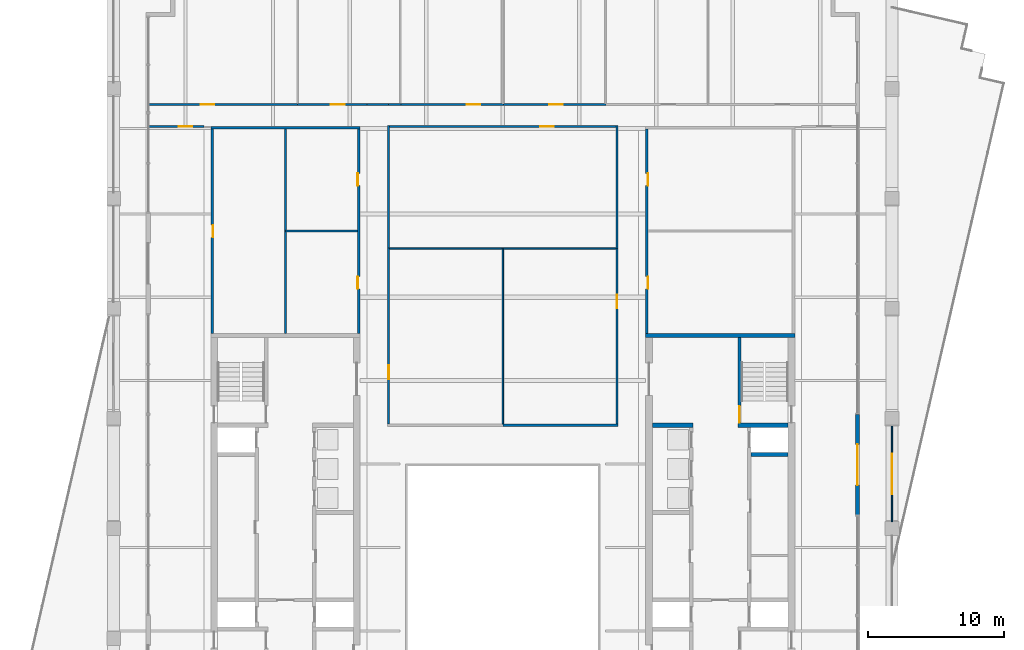
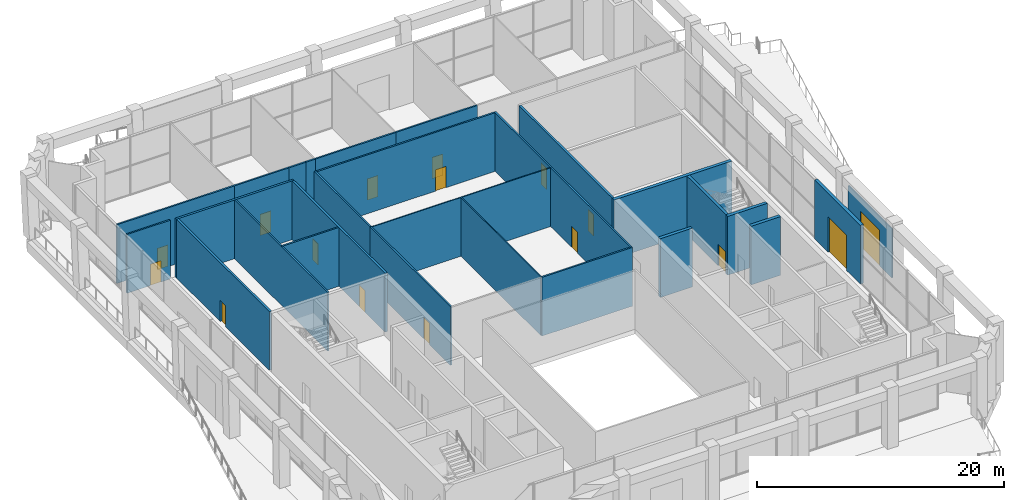
# One storey, part 13 of 20: 29 walls, 16 doors, 16 openings.
"""IFC4 building model written with IfcOpenShell, lengths in metres."""

from ifc_helpers import new_model, si_unit, direction, frame, frame_2d, origin, place, context, subcontext, project, spatial, rectangle, extrude, material, layer, layer_set, type_object, element, fill, save


model = new_model("IFC4")

# Units and contexts
model_context = context("Model", 3, precision=1e-05, world=origin(), true_north=direction((0.0, 1.0)))
body_context = subcontext(model_context, "Body", "Model", "MODEL_VIEW")
ifc_project = project(units=[si_unit("LENGTHUNIT", "METRE"), si_unit("AREAUNIT", "SQUARE_METRE"), si_unit("VOLUMEUNIT", "CUBIC_METRE"), si_unit("PLANEANGLEUNIT", "RADIAN"), si_unit("MASSUNIT", "GRAM", prefix="KILO")], contexts=[model_context])

# Site, building, storey
site_placement = place(None, origin())
site = spatial("IfcSite", under=ifc_project, at=site_placement, CompositionType="ELEMENT")
building_placement = place(site_placement, origin())
building = spatial("IfcBuilding", under=site, at=building_placement, Name="Ogive Exchange Tower", CompositionType="ELEMENT")
storey_placement = place(building_placement, frame((0.0, 0.0, 303.0)))
storey = spatial("IfcBuildingStorey", under=building, at=storey_placement, Name="L66", CompositionType="ELEMENT", Elevation=303.0)

# Walls
ifc_material_1 = material(Name="Gypsum board partition")
ifc_layer_1 = layer(ifc_material_1, 0.14990234375)
ifc_layer_set_1 = layer_set([ifc_layer_1], Name="Core room partition 150 gypsum")
wall_type_1 = type_object("IfcWallType", Name="Core room partition 150 gypsum", PredefinedType="PARTITIONING", material=ifc_layer_set_1)
wall_1_placement = place(storey_placement, frame((-16.0, 25.75, 0.0), z_axis=(0.0, 0.0, 1.0), x_axis=(0.0, 1.0, 0.0)))
element("IfcWall", 1, at=wall_1_placement, inside=storey, type_object=wall_type_1, Name="W annex N column wall", PredefinedType="PARTITIONING", context=body_context, shape_type="SweptSolid", body=[
    extrude(rectangle(XDim=15.050048828125, YDim=0.14990234375, at=frame_2d((7.52490234375, 0.0))), origin(), (0.0, 0.0, 1.0), 5.800048828125),
])
wall_2_placement = place(storey_placement, frame((-16.0, 33.300048828125, 0.0), z_axis=(0.0, 0.0, 1.0), x_axis=(1.0, 0.0, 0.0)))
element("IfcWall", 2, at=wall_2_placement, inside=storey, type_object=wall_type_1, Name="W annex N cross wall", PredefinedType="PARTITIONING", context=body_context, shape_type="SweptSolid", body=[
    extrude(rectangle(XDim=5.300048828125, YDim=0.14990234375, at=frame_2d((2.64990234375, 0.0))), origin(), (0.0, 0.0, 1.0), 5.800048828125),
])

# Wall, opening, door
ifc_material_2 = material(Name="Fire partition EI 60 150")
ifc_layer_2 = layer(ifc_material_2, 0.14990234375)
ifc_layer_set_2 = layer_set([ifc_layer_2], Name="Fire partition EI 60 150")
wall_type_2 = type_object("IfcWallType", Name="Fire partition EI 60 150", PredefinedType="PARTITIONING", material=ifc_layer_set_2)
wall_3_placement = place(storey_placement, frame((-26.050048828125, 42.60009765625, 0.0), z_axis=(0.0, 0.0, 1.0), x_axis=(1.0, 0.0, 0.0)))
wall_3 = element("IfcWall", 3, at=wall_3_placement, inside=storey, type_object=wall_type_2, Name="L66-PWL-001", PredefinedType="PARTITIONING", context=body_context, shape_type="SweptSolid", body=[
    extrude(rectangle(XDim=11.0, YDim=0.14990234375, at=frame_2d((5.5, 0.0))), origin(), (0.0, 0.0, 1.0), 5.800048828125),
])
opening_1_placement = place(wall_3_placement, frame((3.800048828125, 0.0, 0.0)))
opening_1 = element("IfcOpeningElement", 4, at=opening_1_placement, cuts=wall_3, Name="Opening L66-I06", PredefinedType="OPENING", context=body_context, shape_type="SweptSolid", body=[
    extrude(rectangle(XDim=1.0, YDim=2.10009765625, at=frame_2d((0.5, 1.050048828125))), frame((0.0, 0.0849609375, 0.0), z_axis=(0.0, -1.0, 0.0), x_axis=(1.0, 0.0, 0.0)), (0.0, 0.0, 1.0), 0.169921875),
])
ifc_material_3 = material(Name="Fire door FD 30S 1000 x 2100")
door_type_1 = type_object("IfcDoorType", Name="Fire door FD 30S 1000 x 2100", OperationType="NOTDEFINED", PredefinedType="DOOR", material=ifc_material_3)
door_1_placement = place(opening_1_placement, origin())
door_1 = element("IfcDoor", 5, at=door_1_placement, inside=storey, type_object=door_type_1, Name="L66-IDR-006", ObjectType="DT3", OperationType="SINGLE_SWING_LEFT", OverallHeight=2.10009765625, OverallWidth=1.0, PredefinedType="DOOR", context=body_context, shape_type="SweptSolid", body=[
    extrude(rectangle(XDim=1.0, YDim=2.10009765625, at=frame_2d((0.5, 1.050048828125))), frame((0.0, 0.02490234375, 0.0), z_axis=(0.0, -1.0, 0.0), x_axis=(1.0, 0.0, 0.0)), (0.0, 0.0, 1.0), 0.050048828125),
])
fill(opening_1, door_1)

wall_4_placement = place(storey_placement, frame((-22.0, 41.0, 0.0), z_axis=(0.0, 0.0, 1.0), x_axis=(-1.0, 0.0, 0.0)))
wall_4 = element("IfcWall", 6, at=wall_4_placement, inside=storey, type_object=wall_type_2, Name="L66-PWL-003", PredefinedType="PARTITIONING", context=body_context, shape_type="SweptSolid", body=[
    extrude(rectangle(XDim=4.050048828125, YDim=0.14990234375, at=frame_2d((2.02490234375, 0.0))), origin(), (0.0, 0.0, 1.0), 5.800048828125),
])
opening_2_placement = place(wall_4_placement, frame((0.85009765625, 0.0, 0.0)))
opening_2 = element("IfcOpeningElement", 7, at=opening_2_placement, cuts=wall_4, Name="Opening L66-I10", PredefinedType="OPENING", context=body_context, shape_type="SweptSolid", body=[
    extrude(rectangle(XDim=1.0, YDim=2.10009765625, at=frame_2d((0.5, 1.050048828125))), frame((0.0, 0.0849609375, 0.0), z_axis=(0.0, -1.0, 0.0), x_axis=(1.0, 0.0, 0.0)), (0.0, 0.0, 1.0), 0.169921875),
])
door_2_placement = place(opening_2_placement, origin())
door_2 = element("IfcDoor", 8, at=door_2_placement, inside=storey, type_object=door_type_1, Name="L66-IDR-010", ObjectType="DT3", OperationType="SINGLE_SWING_RIGHT", OverallHeight=2.10009765625, OverallWidth=1.0, PredefinedType="DOOR", context=body_context, shape_type="SweptSolid", body=[
    extrude(rectangle(XDim=1.0, YDim=2.10009765625, at=frame_2d((0.5, 1.050048828125))), frame((0.0, 0.02490234375, 0.0), z_axis=(0.0, -1.0, 0.0), x_axis=(1.0, 0.0, 0.0)), (0.0, 0.0, 1.0), 0.050048828125),
])
fill(opening_2, door_2)

wall_5_placement = place(storey_placement, frame((-15.10009765625, 42.60009765625, 0.0), z_axis=(0.0, 0.0, 1.0), x_axis=(1.0, 0.0, 0.0)))
wall_5 = element("IfcWall", 9, at=wall_5_placement, inside=storey, type_object=wall_type_2, Name="L66-PWL-005", PredefinedType="PARTITIONING", context=body_context, shape_type="SweptSolid", body=[
    extrude(rectangle(XDim=5.10009765625, YDim=0.14990234375, at=frame_2d((2.550048828125, 0.0))), origin(), (0.0, 0.0, 1.0), 5.800048828125),
])
opening_3_placement = place(wall_5_placement, frame((2.449951171875, 0.0, 0.0)))
opening_3 = element("IfcOpeningElement", 10, at=opening_3_placement, cuts=wall_5, Name="Opening L66-I05", PredefinedType="OPENING", context=body_context, shape_type="SweptSolid", body=[
    extrude(rectangle(XDim=1.0, YDim=2.10009765625, at=frame_2d((0.5, 1.050048828125))), frame((0.0, 0.0849609375, 0.0), z_axis=(0.0, -1.0, 0.0), x_axis=(1.0, 0.0, 0.0)), (0.0, 0.0, 1.0), 0.169921875),
])
door_3_placement = place(opening_3_placement, origin())
door_3 = element("IfcDoor", 11, at=door_3_placement, inside=storey, type_object=door_type_1, Name="L66-IDR-005", ObjectType="DT3", OperationType="SINGLE_SWING_RIGHT", OverallHeight=2.10009765625, OverallWidth=1.0, PredefinedType="DOOR", context=body_context, shape_type="SweptSolid", body=[
    extrude(rectangle(XDim=1.0, YDim=2.10009765625, at=frame_2d((0.5, 1.050048828125))), frame((0.0, 0.02490234375, 0.0), z_axis=(0.0, -1.0, 0.0), x_axis=(1.0, 0.0, 0.0)), (0.0, 0.0, 1.0), 0.050048828125),
])
fill(opening_3, door_3)

# Wall
wall_6_placement = place(storey_placement, frame((-10.0, 42.60009765625, 0.0), z_axis=(0.0, 0.0, 1.0), x_axis=(1.0, 0.0, 0.0)))
element("IfcWall", 12, at=wall_6_placement, inside=storey, type_object=wall_type_2, Name="L66-PWL-006", PredefinedType="PARTITIONING", context=body_context, shape_type="SweptSolid", body=[
    extrude(rectangle(XDim=1.60009765625, YDim=0.14990234375, at=frame_2d((0.800048828125, 0.0))), origin(), (0.0, 0.0, 1.0), 5.800048828125),
])

# Wall, opening, door
wall_7_placement = place(storey_placement, frame((-8.39990234375, 32.050048828125, 0.0), z_axis=(0.0, 0.0, 1.0), x_axis=(0.0, -1.0, 0.0)))
wall_7 = element("IfcWall", 13, at=wall_7_placement, inside=storey, type_object=wall_type_2, Name="L66-PWL-008", PredefinedType="PARTITIONING", context=body_context, shape_type="SweptSolid", body=[
    extrude(rectangle(XDim=12.97509765625, YDim=0.14990234375, at=frame_2d((6.487548828125, 0.0))), origin(), (0.0, 0.0, 1.0), 5.800048828125),
])
opening_4_placement = place(wall_7_placement, frame((8.64990234375, 0.0, 0.0)))
opening_4 = element("IfcOpeningElement", 14, at=opening_4_placement, cuts=wall_7, Name="Opening L66-I09", PredefinedType="OPENING", context=body_context, shape_type="SweptSolid", body=[
    extrude(rectangle(XDim=1.0, YDim=2.10009765625, at=frame_2d((0.5, 1.050048828125))), frame((0.0, 0.0849609375, 0.0), z_axis=(0.0, -1.0, 0.0), x_axis=(1.0, 0.0, 0.0)), (0.0, 0.0, 1.0), 0.169921875),
])
door_4_placement = place(opening_4_placement, origin())
door_4 = element("IfcDoor", 15, at=door_4_placement, inside=storey, type_object=door_type_1, Name="L66-IDR-009", ObjectType="DT3", OperationType="SINGLE_SWING_LEFT", OverallHeight=2.10009765625, OverallWidth=1.0, PredefinedType="DOOR", context=body_context, shape_type="SweptSolid", body=[
    extrude(rectangle(XDim=1.0, YDim=2.10009765625, at=frame_2d((0.5, 1.050048828125))), frame((0.0, 0.02490234375, 0.0), z_axis=(0.0, -1.0, 0.0), x_axis=(1.0, 0.0, 0.0)), (0.0, 0.0, 1.0), 0.050048828125),
])
fill(opening_4, door_4)

# Walls
wall_8_placement = place(storey_placement, frame((-8.39990234375, 41.074951171875, 0.0), z_axis=(0.0, 0.0, 1.0), x_axis=(0.0, -1.0, 0.0)))
element("IfcWall", 16, at=wall_8_placement, inside=storey, type_object=wall_type_2, Name="L66-PWL-009", PredefinedType="PARTITIONING", context=body_context, shape_type="SweptSolid", body=[
    extrude(rectangle(XDim=9.02490234375, YDim=0.14990234375, at=frame_2d((4.512451171875, 0.0))), origin(), (0.0, 0.0, 1.0), 5.800048828125),
])
wall_9_placement = place(storey_placement, frame((-8.39990234375, 42.60009765625, 0.0), z_axis=(0.0, 0.0, 1.0), x_axis=(1.0, 0.0, 0.0)))
element("IfcWall", 17, at=wall_9_placement, inside=storey, type_object=wall_type_2, Name="L66-PWL-010", PredefinedType="PARTITIONING", context=body_context, shape_type="SweptSolid", body=[
    extrude(rectangle(XDim=0.89990234375, YDim=0.14990234375, at=frame_2d((0.449951171875, 0.0))), origin(), (0.0, 0.0, 1.0), 5.800048828125),
])

# Wall, opening, door
wall_10_placement = place(storey_placement, frame((-7.550048828125, 42.60009765625, 0.0), z_axis=(0.0, 0.0, 1.0), x_axis=(1.0, 0.0, 0.0)))
wall_10 = element("IfcWall", 18, at=wall_10_placement, inside=storey, type_object=wall_type_2, Name="L66-PWL-012", PredefinedType="PARTITIONING", context=body_context, shape_type="SweptSolid", body=[
    extrude(rectangle(XDim=7.60009765625, YDim=0.14990234375, at=frame_2d((3.800048828125, 0.0))), origin(), (0.0, 0.0, 1.0), 5.800048828125),
])
opening_5_placement = place(wall_10_placement, frame((4.89990234375, 0.0, 0.0)))
opening_5 = element("IfcOpeningElement", 19, at=opening_5_placement, cuts=wall_10, Name="Opening L66-I04", PredefinedType="OPENING", context=body_context, shape_type="SweptSolid", body=[
    extrude(rectangle(XDim=1.0, YDim=2.10009765625, at=frame_2d((0.5, 1.050048828125))), frame((0.0, 0.0849609375, 0.0), z_axis=(0.0, -1.0, 0.0), x_axis=(1.0, 0.0, 0.0)), (0.0, 0.0, 1.0), 0.169921875),
])
door_5_placement = place(opening_5_placement, origin())
door_5 = element("IfcDoor", 20, at=door_5_placement, inside=storey, type_object=door_type_1, Name="L66-IDR-004", ObjectType="DT3", OperationType="SINGLE_SWING_LEFT", OverallHeight=2.10009765625, OverallWidth=1.0, PredefinedType="DOOR", context=body_context, shape_type="SweptSolid", body=[
    extrude(rectangle(XDim=1.0, YDim=2.10009765625, at=frame_2d((0.5, 1.050048828125))), frame((0.0, 0.02490234375, 0.0), z_axis=(0.0, -1.0, 0.0), x_axis=(1.0, 0.0, 0.0)), (0.0, 0.0, 1.0), 0.050048828125),
])
fill(opening_5, door_5)

# Wall
wall_11_placement = place(storey_placement, frame((0.0, 19.0, 0.0), z_axis=(0.0, 0.0, 1.0), x_axis=(1.0, 0.0, 0.0)))
element("IfcWall", 21, at=wall_11_placement, inside=storey, type_object=wall_type_2, Name="L66-PWL-014", PredefinedType="PARTITIONING", context=body_context, shape_type="SweptSolid", body=[
    extrude(rectangle(XDim=8.47509765625, YDim=0.14990234375, at=frame_2d((4.237548828125, 0.0))), origin(), (0.0, 0.0, 1.0), 5.800048828125),
])

# Wall, opening, door
wall_12_placement = place(storey_placement, frame((0.0, 42.60009765625, 0.0), z_axis=(0.0, 0.0, 1.0), x_axis=(1.0, 0.0, 0.0)))
wall_12 = element("IfcWall", 22, at=wall_12_placement, inside=storey, type_object=wall_type_2, Name="L66-PWL-017", PredefinedType="PARTITIONING", context=body_context, shape_type="SweptSolid", body=[
    extrude(rectangle(XDim=7.60009765625, YDim=0.14990234375, at=frame_2d((3.800048828125, 0.0))), origin(), (0.0, 0.0, 1.0), 5.800048828125),
])
opening_6_placement = place(wall_12_placement, frame((3.39990234375, 0.0, 0.0)))
opening_6 = element("IfcOpeningElement", 23, at=opening_6_placement, cuts=wall_12, Name="Opening L66-I03", PredefinedType="OPENING", context=body_context, shape_type="SweptSolid", body=[
    extrude(rectangle(XDim=1.0, YDim=2.10009765625, at=frame_2d((0.5, 1.050048828125))), frame((0.0, 0.0849609375, 0.0), z_axis=(0.0, -1.0, 0.0), x_axis=(1.0, 0.0, 0.0)), (0.0, 0.0, 1.0), 0.169921875),
])
door_6_placement = place(opening_6_placement, origin())
door_6 = element("IfcDoor", 24, at=door_6_placement, inside=storey, type_object=door_type_1, Name="L66-IDR-003", ObjectType="DT3", OperationType="SINGLE_SWING_LEFT", OverallHeight=2.10009765625, OverallWidth=1.0, PredefinedType="DOOR", context=body_context, shape_type="SweptSolid", body=[
    extrude(rectangle(XDim=1.0, YDim=2.10009765625, at=frame_2d((0.5, 1.050048828125))), frame((0.0, 0.02490234375, 0.0), z_axis=(0.0, -1.0, 0.0), x_axis=(1.0, 0.0, 0.0)), (0.0, 0.0, 1.0), 0.050048828125),
])
fill(opening_6, door_6)

wall_13_placement = place(storey_placement, frame((8.39990234375, 19.074951171875, 0.0), z_axis=(0.0, 0.0, 1.0), x_axis=(0.0, 1.0, 0.0)))
wall_13 = element("IfcWall", 25, at=wall_13_placement, inside=storey, type_object=wall_type_2, Name="L66-PWL-020", PredefinedType="PARTITIONING", context=body_context, shape_type="SweptSolid", body=[
    extrude(rectangle(XDim=12.97509765625, YDim=0.14990234375, at=frame_2d((6.487548828125, 0.0))), origin(), (0.0, 0.0, 1.0), 5.800048828125),
])
opening_7_placement = place(wall_13_placement, frame((8.52490234375, 0.0, 0.0)))
opening_7 = element("IfcOpeningElement", 26, at=opening_7_placement, cuts=wall_13, Name="Opening L66-I08", PredefinedType="OPENING", context=body_context, shape_type="SweptSolid", body=[
    extrude(rectangle(XDim=1.0, YDim=2.10009765625, at=frame_2d((0.5, 1.050048828125))), frame((0.0, 0.0849609375, 0.0), z_axis=(0.0, -1.0, 0.0), x_axis=(1.0, 0.0, 0.0)), (0.0, 0.0, 1.0), 0.169921875),
])
door_7_placement = place(opening_7_placement, origin())
door_7 = element("IfcDoor", 27, at=door_7_placement, inside=storey, type_object=door_type_1, Name="L66-IDR-008", ObjectType="DT3", OperationType="SINGLE_SWING_LEFT", OverallHeight=2.10009765625, OverallWidth=1.0, PredefinedType="DOOR", context=body_context, shape_type="SweptSolid", body=[
    extrude(rectangle(XDim=1.0, YDim=2.10009765625, at=frame_2d((0.5, 1.050048828125))), frame((0.0, 0.02490234375, 0.0), z_axis=(0.0, -1.0, 0.0), x_axis=(1.0, 0.0, 0.0)), (0.0, 0.0, 1.0), 0.050048828125),
])
fill(opening_7, door_7)

# Wall
wall_14_placement = place(storey_placement, frame((8.39990234375, 32.0, 0.0), z_axis=(0.0, 0.0, 1.0), x_axis=(0.0, 1.0, 0.0)))
element("IfcWall", 28, at=wall_14_placement, inside=storey, type_object=wall_type_2, Name="L66-PWL-022", PredefinedType="PARTITIONING", context=body_context, shape_type="SweptSolid", body=[
    extrude(rectangle(XDim=9.074951171875, YDim=0.14990234375, at=frame_2d((4.53759765625, 0.0))), origin(), (0.0, 0.0, 1.0), 5.800048828125),
])

# Wall, opening, door
wall_15_placement = place(storey_placement, frame((8.324951171875, 41.0, 0.0), z_axis=(0.0, 0.0, 1.0), x_axis=(-1.0, 0.0, 0.0)))
wall_15 = element("IfcWall", 29, at=wall_15_placement, inside=storey, type_object=wall_type_2, Name="L66-PWL-023", PredefinedType="PARTITIONING", context=body_context, shape_type="SweptSolid", body=[
    extrude(rectangle(XDim=16.64990234375, YDim=0.14990234375, at=frame_2d((8.324951171875, 0.0))), origin(), (0.0, 0.0, 1.0), 5.800048828125),
])
opening_8_placement = place(wall_15_placement, frame((4.574951171875, 0.0, 0.0)))
opening_8 = element("IfcOpeningElement", 30, at=opening_8_placement, cuts=wall_15, Name="Opening L66-I07", PredefinedType="OPENING", context=body_context, shape_type="SweptSolid", body=[
    extrude(rectangle(XDim=1.0, YDim=2.10009765625, at=frame_2d((0.5, 1.050048828125))), frame((0.0, 0.0849609375, 0.0), z_axis=(0.0, -1.0, 0.0), x_axis=(1.0, 0.0, 0.0)), (0.0, 0.0, 1.0), 0.169921875),
])
door_8_placement = place(opening_8_placement, origin())
door_8 = element("IfcDoor", 31, at=door_8_placement, inside=storey, type_object=door_type_1, Name="L66-IDR-007", ObjectType="DT3", OperationType="SINGLE_SWING_LEFT", OverallHeight=2.10009765625, OverallWidth=1.0, PredefinedType="DOOR", context=body_context, shape_type="SweptSolid", body=[
    extrude(rectangle(XDim=1.0, YDim=2.10009765625, at=frame_2d((0.5, 1.050048828125))), frame((0.0, 0.02490234375, 0.0), z_axis=(0.0, -1.0, 0.0), x_axis=(1.0, 0.0, 0.0)), (0.0, 0.0, 1.0), 0.050048828125),
])
fill(opening_8, door_8)

ifc_material_4 = material(Name="Precast concrete C40/50", Category="concrete")
ifc_layer_3 = layer(ifc_material_4, 0.300048828125)
ifc_layer_set_3 = layer_set([ifc_layer_3], Name="Limestone-faced wall 300")
wall_type_3 = type_object("IfcWallType", Name="Limestone-faced wall 300", PredefinedType="STANDARD", material=ifc_layer_set_3)
wall_16_placement = place(storey_placement, frame((26.10009765625, 12.39990234375, 0.0), z_axis=(0.0, 0.0, 1.0), x_axis=(0.0, 1.0, 0.0)))
wall_16 = element("IfcWall", 32, at=wall_16_placement, inside=storey, type_object=wall_type_3, Name="External wall E2", PredefinedType="STANDARD", context=body_context, shape_type="SweptSolid", body=[
    extrude(rectangle(XDim=7.400146484375, YDim=0.300048828125, at=frame_2d((3.7001953125, 0.0))), origin(), (0.0, 0.0, 1.0), 5.800048828125),
])
opening_9_placement = place(wall_16_placement, frame((2.199951171875, 0.0, 0.0)))
opening_9 = element("IfcOpeningElement", 33, at=opening_9_placement, cuts=wall_16, Name="Opening D2", PredefinedType="OPENING", context=body_context, shape_type="SweptSolid", body=[
    extrude(rectangle(XDim=3.0, YDim=3.5, at=frame_2d((1.5, 1.75))), frame((0.0, 0.159912109375, 0.0), z_axis=(0.0, -1.0, 0.0), x_axis=(1.0, 0.0, 0.0)), (0.0, 0.0, 1.0), 0.320068359375),
])
ifc_material_5 = material(Name="Clear glass in bronze frame", Category="glass")
door_type_2 = type_object("IfcDoorType", Name="Winter garden sliding door 3000 x 3500", OperationType="DOUBLE_DOOR_SLIDING", PredefinedType="DOOR", material=ifc_material_5)
door_9_placement = place(opening_9_placement, origin())
door_9 = element("IfcDoor", 34, at=door_9_placement, inside=storey, type_object=door_type_2, Name="Loggia door E02", OperationType="DOUBLE_DOOR_SLIDING", OverallHeight=3.5, OverallWidth=3.0, PredefinedType="DOOR", context=body_context, shape_type="SweptSolid", body=[
    extrude(rectangle(XDim=3.0, YDim=3.5, at=frame_2d((1.5, 1.75))), frame((0.0, 0.02490234375, 0.0), z_axis=(0.0, -1.0, 0.0), x_axis=(1.0, 0.0, 0.0)), (0.0, 0.0, 1.0), 0.050048828125),
])
fill(opening_9, door_9)

ifc_material_6 = material(Name="Laminated safety glass in steel frame", Category="steel")
ifc_layer_4 = layer(ifc_material_6, 0.10009765625)
ifc_layer_set_4 = layer_set([ifc_layer_4], Name="Loggia end screen 100")
wall_type_4 = type_object("IfcWallType", Name="Loggia end screen 100", PredefinedType="STANDARD", material=ifc_layer_set_4)
wall_17_placement = place(storey_placement, frame((28.64990234375, 11.891357421875, 0.0), z_axis=(0.0, 0.0, 1.0), x_axis=(0.0, 1.0, 0.0)))
wall_17 = element("IfcWall", 35, at=wall_17_placement, inside=storey, type_object=wall_type_4, Name="Terrace screen E02", PredefinedType="STANDARD", context=body_context, shape_type="SweptSolid", body=[
    extrude(rectangle(XDim=7.045654296875, YDim=0.10009765625, at=frame_2d((3.52294921875, 0.0))), origin(), (0.0, 0.0, 1.0), 4.85009765625),
])
opening_10_placement = place(wall_17_placement, frame((2.02294921875, 0.0, 0.0)))
opening_10 = element("IfcOpeningElement", 36, at=opening_10_placement, cuts=wall_17, Name="Opening D4", PredefinedType="OPENING", context=body_context, shape_type="SweptSolid", body=[
    extrude(rectangle(XDim=3.0, YDim=3.5, at=frame_2d((1.5, 1.75))), frame((0.0, 0.06005859375, 0.0), z_axis=(0.0, -1.0, 0.0), x_axis=(1.0, 0.0, 0.0)), (0.0, 0.0, 1.0), 0.1201171875),
])
door_type_3 = type_object("IfcDoorType", Name="Terrace sliding door 3000 x 3500", OperationType="DOUBLE_DOOR_SLIDING", PredefinedType="DOOR", material=ifc_material_5)
door_10_placement = place(opening_10_placement, origin())
door_10 = element("IfcDoor", 37, at=door_10_placement, inside=storey, type_object=door_type_3, Name="Terrace door E02", OperationType="DOUBLE_DOOR_SLIDING", OverallHeight=3.5, OverallWidth=3.0, PredefinedType="DOOR", context=body_context, shape_type="SweptSolid", body=[
    extrude(rectangle(XDim=3.0, YDim=3.5, at=frame_2d((1.5, 1.75))), frame((0.0, 0.02490234375, 0.0), z_axis=(0.0, -1.0, 0.0), x_axis=(1.0, 0.0, 0.0)), (0.0, 0.0, 1.0), 0.050048828125),
])
fill(opening_10, door_10)

# Walls
ifc_material_7 = material(Name="Partition 100 gypsum")
ifc_layer_5 = layer(ifc_material_7, 0.10009765625)
ifc_layer_set_5 = layer_set([ifc_layer_5], Name="Partition 100 gypsum")
wall_type_5 = type_object("IfcWallType", Name="Partition 100 gypsum", PredefinedType="PARTITIONING", material=ifc_layer_set_5)
wall_18_placement = place(storey_placement, frame((0.0, 19.074951171875, 0.0), z_axis=(0.0, 0.0, 1.0), x_axis=(0.0, 1.0, 0.0)))
element("IfcWall", 38, at=wall_18_placement, inside=storey, type_object=wall_type_5, Name="L66-PWL-013", PredefinedType="PARTITIONING", context=body_context, shape_type="SweptSolid", body=[
    extrude(rectangle(XDim=12.97509765625, YDim=0.10009765625, at=frame_2d((6.487548828125, 0.0))), origin(), (0.0, 0.0, 1.0), 5.800048828125),
])
for number, where, z_axis, x_axis, name in (
    (39, (-0.050048828125, 32.0, 0.0), (0.0, 0.0, 1.0), (-1.0, 0.0, 0.0), "L66-PWL-015"),
    (40, (8.324951171875, 32.0, 0.0), (0.0, 0.0, 1.0), (-1.0, 0.0, 0.0), "L66-PWL-021"),
):
    element("IfcWall", number, at=place(storey_placement, frame(where, z_axis=z_axis, x_axis=x_axis)), inside=storey, type_object=wall_type_5, Name=name, PredefinedType="PARTITIONING", context=body_context, shape_type="SweptSolid", body=[
        extrude(rectangle(XDim=8.27490234375, YDim=0.10009765625, at=frame_2d((4.137451171875, 0.0))), origin(), (0.0, 0.0, 1.0), 5.800048828125),
    ])

# Wall, opening, door
ifc_material_8 = material(Name="Concrete C70/85", Category="concrete")
ifc_layer_6 = layer(ifc_material_8, 0.199951171875)
ifc_layer_set_6 = layer_set([ifc_layer_6], Name="RC core wall 200 C70/85")
wall_type_6 = type_object("IfcWallType", Name="RC core wall 200 C70/85", PredefinedType="SHEAR", material=ifc_layer_set_6)
wall_19_placement = place(storey_placement, frame((-21.39990234375, 25.75, 0.0), z_axis=(0.0, 0.0, 1.0), x_axis=(0.0, 1.0, 0.0)))
wall_19 = element("IfcWall", 41, at=wall_19_placement, inside=storey, type_object=wall_type_6, Name="W annex N outer wall", PredefinedType="SHEAR", context=body_context, shape_type="SweptSolid", body=[
    extrude(rectangle(XDim=15.050048828125, YDim=0.199951171875, at=frame_2d((7.52490234375, 0.0))), origin(), (0.0, 0.0, 1.0), 5.800048828125),
])
opening_11_placement = place(wall_19_placement, frame((7.074951171875, 0.0, 0.0)))
opening_11 = element("IfcOpeningElement", 42, at=opening_11_placement, cuts=wall_19, Name="Opening L66-C17", PredefinedType="OPENING", context=body_context, shape_type="SweptSolid", body=[
    extrude(rectangle(XDim=0.89990234375, YDim=2.10009765625, at=frame_2d((0.449951171875, 1.050048828125))), frame((0.0, 0.10986328125, 0.0), z_axis=(0.0, -1.0, 0.0), x_axis=(1.0, 0.0, 0.0)), (0.0, 0.0, 1.0), 0.219970703125),
])
ifc_material_9 = material(Name="Steel fire door", Category="steel")
door_type_4 = type_object("IfcDoorType", Name="Riser door FD60 900 x 2100", OperationType="NOTDEFINED", PredefinedType="DOOR", material=ifc_material_9)
door_11_placement = place(opening_11_placement, origin())
door_11 = element("IfcDoor", 43, at=door_11_placement, inside=storey, type_object=door_type_4, Name="Riser door", ObjectType="CD2", OperationType="SINGLE_SWING_RIGHT", OverallHeight=2.10009765625, OverallWidth=0.89990234375, PredefinedType="DOOR", context=body_context, shape_type="SweptSolid", body=[
    extrude(rectangle(XDim=0.89990234375, YDim=2.10009765625, at=frame_2d((0.449951171875, 1.050048828125))), frame((0.0, -0.0498046875, 0.0), z_axis=(0.0, -1.0, 0.0), x_axis=(1.0, 0.0, 0.0)), (0.0, 0.0, 1.0), 0.050048828125),
])
fill(opening_11, door_11)

# Wall, openings, doors
wall_20_placement = place(storey_placement, frame((-10.60009765625, 25.75, 0.0), z_axis=(0.0, 0.0, 1.0), x_axis=(0.0, 1.0, 0.0)))
wall_20 = element("IfcWall", 44, at=wall_20_placement, inside=storey, type_object=wall_type_6, Name="W annex N inner wall", PredefinedType="SHEAR", context=body_context, shape_type="SweptSolid", body=[
    extrude(rectangle(XDim=15.050048828125, YDim=0.199951171875, at=frame_2d((7.52490234375, 0.0))), origin(), (0.0, 0.0, 1.0), 5.800048828125),
])
opening_12_placement = place(wall_20_placement, frame((3.28759765625, 0.0, 0.0)))
opening_12 = element("IfcOpeningElement", 45, at=opening_12_placement, cuts=wall_20, Name="Opening L66-C18", PredefinedType="OPENING", context=body_context, shape_type="SweptSolid", body=[
    extrude(rectangle(XDim=0.89990234375, YDim=2.10009765625, at=frame_2d((0.449951171875, 1.050048828125))), frame((0.0, 0.10986328125, 0.0), z_axis=(0.0, -1.0, 0.0), x_axis=(1.0, 0.0, 0.0)), (0.0, 0.0, 1.0), 0.219970703125),
])
opening_13_placement = place(wall_20_placement, frame((10.887451171875, 0.0, 0.0)))
opening_13 = element("IfcOpeningElement", 46, at=opening_13_placement, cuts=wall_20, Name="Opening L66-C19", PredefinedType="OPENING", context=body_context, shape_type="SweptSolid", body=[
    extrude(rectangle(XDim=0.89990234375, YDim=2.10009765625, at=frame_2d((0.449951171875, 1.050048828125))), frame((0.0, 0.10986328125, 0.0), z_axis=(0.0, -1.0, 0.0), x_axis=(1.0, 0.0, 0.0)), (0.0, 0.0, 1.0), 0.219970703125),
])
ifc_material_10 = material(Name="Timber fire door", Category="wood")
door_type_5 = type_object("IfcDoorType", Name="Core room door FD30S 900 x 2100", OperationType="NOTDEFINED", PredefinedType="DOOR", material=ifc_material_10)
door_12_placement = place(opening_12_placement, frame((0.89990234375, 0.14990234375, 0.0), z_axis=(0.0, 0.0, 1.0), x_axis=(-1.0, 0.0, 0.0)))
door_12 = element("IfcDoor", 47, at=door_12_placement, inside=storey, type_object=door_type_5, Name="Core room door", ObjectType="CD6", OperationType="SINGLE_SWING_RIGHT", OverallHeight=2.10009765625, OverallWidth=0.89990234375, PredefinedType="DOOR", context=body_context, shape_type="SweptSolid", body=[
    extrude(rectangle(XDim=0.89990234375, YDim=2.10009765625, at=frame_2d((0.449951171875, 1.050048828125))), frame((0.0, 0.10009765625, 0.0), z_axis=(0.0, -1.0, 0.0), x_axis=(1.0, 0.0, 0.0)), (0.0, 0.0, 1.0), 0.050048828125),
])
fill(opening_12, door_12)
door_13_placement = place(opening_13_placement, frame((0.89990234375, 0.14990234375, 0.0), z_axis=(0.0, 0.0, 1.0), x_axis=(-1.0, 0.0, 0.0)))
door_13 = element("IfcDoor", 48, at=door_13_placement, inside=storey, type_object=door_type_4, Name="Riser door", ObjectType="CD2", OperationType="SINGLE_SWING_RIGHT", OverallHeight=2.10009765625, OverallWidth=0.89990234375, PredefinedType="DOOR", context=body_context, shape_type="SweptSolid", body=[
    extrude(rectangle(XDim=0.89990234375, YDim=2.10009765625, at=frame_2d((0.449951171875, 1.050048828125))), frame((0.0, 0.10009765625, 0.0), z_axis=(0.0, -1.0, 0.0), x_axis=(1.0, 0.0, 0.0)), (0.0, 0.0, 1.0), 0.050048828125),
])
fill(opening_13, door_13)

# Wall
wall_21_placement = place(storey_placement, frame((-21.5, 40.89990234375, 0.0), z_axis=(0.0, 0.0, 1.0), x_axis=(1.0, 0.0, 0.0)))
element("IfcWall", 49, at=wall_21_placement, inside=storey, type_object=wall_type_6, Name="W annex N end wall", PredefinedType="SHEAR", context=body_context, shape_type="SweptSolid", body=[
    extrude(rectangle(XDim=11.0, YDim=0.199951171875, at=frame_2d((5.5, 0.0))), origin(), (0.0, 0.0, 1.0), 5.800048828125),
])

# Wall, openings, doors
wall_22_placement = place(storey_placement, frame((10.60009765625, 25.75, 0.0), z_axis=(0.0, 0.0, 1.0), x_axis=(0.0, 1.0, 0.0)))
wall_22 = element("IfcWall", 50, at=wall_22_placement, inside=storey, type_object=wall_type_6, Name="E annex N inner wall", PredefinedType="SHEAR", context=body_context, shape_type="SweptSolid", body=[
    extrude(rectangle(XDim=15.050048828125, YDim=0.199951171875, at=frame_2d((7.52490234375, 0.0))), origin(), (0.0, 0.0, 1.0), 5.800048828125),
])
opening_14_placement = place(wall_22_placement, frame((3.28759765625, 0.0, 0.0)))
opening_14 = element("IfcOpeningElement", 51, at=opening_14_placement, cuts=wall_22, Name="Opening L66-C37", PredefinedType="OPENING", context=body_context, shape_type="SweptSolid", body=[
    extrude(rectangle(XDim=0.89990234375, YDim=2.10009765625, at=frame_2d((0.449951171875, 1.050048828125))), frame((0.0, 0.10986328125, 0.0), z_axis=(0.0, -1.0, 0.0), x_axis=(1.0, 0.0, 0.0)), (0.0, 0.0, 1.0), 0.219970703125),
])
opening_15_placement = place(wall_22_placement, frame((10.887451171875, 0.0, 0.0)))
opening_15 = element("IfcOpeningElement", 52, at=opening_15_placement, cuts=wall_22, Name="Opening L66-C38", PredefinedType="OPENING", context=body_context, shape_type="SweptSolid", body=[
    extrude(rectangle(XDim=0.89990234375, YDim=2.10009765625, at=frame_2d((0.449951171875, 1.050048828125))), frame((0.0, 0.10986328125, 0.0), z_axis=(0.0, -1.0, 0.0), x_axis=(1.0, 0.0, 0.0)), (0.0, 0.0, 1.0), 0.219970703125),
])
door_14_placement = place(opening_15_placement, origin())
door_14 = element("IfcDoor", 53, at=door_14_placement, inside=storey, type_object=door_type_5, Name="Core room door", ObjectType="CD6", OperationType="SINGLE_SWING_LEFT", OverallHeight=2.10009765625, OverallWidth=0.89990234375, PredefinedType="DOOR", context=body_context, shape_type="SweptSolid", body=[
    extrude(rectangle(XDim=0.89990234375, YDim=2.10009765625, at=frame_2d((0.449951171875, 1.050048828125))), frame((0.0, -0.0498046875, 0.0), z_axis=(0.0, -1.0, 0.0), x_axis=(1.0, 0.0, 0.0)), (0.0, 0.0, 1.0), 0.050048828125),
])
fill(opening_15, door_14)
door_15_placement = place(opening_14_placement, origin())
door_15 = element("IfcDoor", 54, at=door_15_placement, inside=storey, type_object=door_type_4, Name="Riser door", ObjectType="CD2", OperationType="SINGLE_SWING_RIGHT", OverallHeight=2.10009765625, OverallWidth=0.89990234375, PredefinedType="DOOR", context=body_context, shape_type="SweptSolid", body=[
    extrude(rectangle(XDim=0.89990234375, YDim=2.10009765625, at=frame_2d((0.449951171875, 1.050048828125))), frame((0.0, -0.0498046875, 0.0), z_axis=(0.0, -1.0, 0.0), x_axis=(1.0, 0.0, 0.0)), (0.0, 0.0, 1.0), 0.050048828125),
])
fill(opening_14, door_15)

# Wall, opening, door
ifc_layer_7 = layer(ifc_material_8, 0.25)
ifc_layer_set_7 = layer_set([ifc_layer_7], Name="RC core wall 250 C70/85")
wall_type_7 = type_object("IfcWallType", Name="RC core wall 250 C70/85", PredefinedType="SHEAR", material=ifc_layer_set_7)
wall_23_placement = place(storey_placement, frame((17.425048828125, 19.14990234375, 0.0), z_axis=(0.0, 0.0, 1.0), x_axis=(0.0, 1.0, 0.0)))
wall_23 = element("IfcWall", 55, at=wall_23_placement, inside=storey, type_object=wall_type_7, Name="E stair N front wall", PredefinedType="SHEAR", context=body_context, shape_type="SweptSolid", body=[
    extrude(rectangle(XDim=6.300048828125, YDim=0.25, at=frame_2d((3.14990234375, 0.0))), origin(), (0.0, 0.0, 1.0), 5.800048828125),
])
opening_16_placement = place(wall_23_placement, frame((0.050048828125, 0.0, 0.0)))
opening_16 = element("IfcOpeningElement", 56, at=opening_16_placement, cuts=wall_23, Name="Opening L66-C33", PredefinedType="OPENING", context=body_context, shape_type="SweptSolid", body=[
    extrude(rectangle(XDim=1.199951171875, YDim=2.10009765625, at=frame_2d((0.60009765625, 1.050048828125))), frame((0.0, 0.135009765625, 0.0), z_axis=(0.0, -1.0, 0.0), x_axis=(1.0, 0.0, 0.0)), (0.0, 0.0, 1.0), 0.27001953125),
])
door_type_6 = type_object("IfcDoorType", Name="Stair door FD90 1200 x 2100", OperationType="NOTDEFINED", PredefinedType="DOOR", material=ifc_material_9)
door_16_placement = place(opening_16_placement, frame((1.199951171875, 0.0, 0.0), z_axis=(0.0, 0.0, 1.0), x_axis=(-1.0, 0.0, 0.0)))
door_16 = element("IfcDoor", 57, at=door_16_placement, inside=storey, type_object=door_type_6, Name="Stair door", ObjectType="CD5", OperationType="SINGLE_SWING_LEFT", OverallHeight=2.10009765625, OverallWidth=1.199951171875, PredefinedType="DOOR", context=body_context, shape_type="SweptSolid", body=[
    extrude(rectangle(XDim=1.199951171875, YDim=2.10009765625, at=frame_2d((0.60009765625, 1.050048828125))), frame((0.0, 0.02490234375, 0.0), z_axis=(0.0, -1.0, 0.0), x_axis=(1.0, 0.0, 0.0)), (0.0, 0.0, 1.0), 0.050048828125),
])
fill(opening_16, door_16)

# Walls
ifc_layer_8 = layer(ifc_material_8, 0.300048828125)
ifc_layer_set_8 = layer_set([ifc_layer_8], Name="RC core wall 300 C70/85")
wall_type_8 = type_object("IfcWallType", Name="RC core wall 300 C70/85", PredefinedType="SHEAR", material=ifc_layer_set_8)
wall_24_placement = place(storey_placement, frame((10.5, 25.60009765625, 0.0), z_axis=(0.0, 0.0, 1.0), x_axis=(1.0, 0.0, 0.0)))
element("IfcWall", 58, at=wall_24_placement, inside=storey, type_object=wall_type_8, Name="E north end wall", PredefinedType="SHEAR", context=body_context, shape_type="SweptSolid", body=[
    extrude(rectangle(XDim=11.0, YDim=0.300048828125, at=frame_2d((5.5, 0.0))), origin(), (0.0, 0.0, 1.0), 5.800048828125),
])
wall_25_placement = place(storey_placement, frame((17.300048828125, 19.0, 0.0), z_axis=(0.0, 0.0, 1.0), x_axis=(1.0, 0.0, 0.0)))
element("IfcWall", 59, at=wall_25_placement, inside=storey, type_object=wall_type_8, Name="E stair N south wall", PredefinedType="SHEAR", context=body_context, shape_type="SweptSolid", body=[
    extrude(rectangle(XDim=3.699951171875, YDim=0.300048828125, at=frame_2d((1.85009765625, 0.0))), origin(), (0.0, 0.0, 1.0), 5.800048828125),
])
wall_26_placement = place(storey_placement, frame((18.25, 16.857177734375, 0.0), z_axis=(0.0, 0.0, 1.0), x_axis=(1.0, 0.0, 0.0)))
element("IfcWall", 60, at=wall_26_placement, inside=storey, type_object=wall_type_8, Name="E row A divider 6", PredefinedType="SHEAR", context=body_context, shape_type="SweptSolid", body=[
    extrude(rectangle(XDim=2.75, YDim=0.300048828125, at=frame_2d((1.375, 0.0))), origin(), (0.0, 0.0, 1.0), 5.800048828125),
])
wall_27_placement = place(storey_placement, frame((11.0, 19.0, 0.0), z_axis=(0.0, 0.0, 1.0), x_axis=(1.0, 0.0, 0.0)))
element("IfcWall", 61, at=wall_27_placement, inside=storey, type_object=wall_type_8, Name="E row B divider 7", PredefinedType="SHEAR", context=body_context, shape_type="SweptSolid", body=[
    extrude(rectangle(XDim=3.0, YDim=0.300048828125, at=frame_2d((1.5, 0.0))), origin(), (0.0, 0.0, 1.0), 5.800048828125),
])

save(model, "model.ifc")
